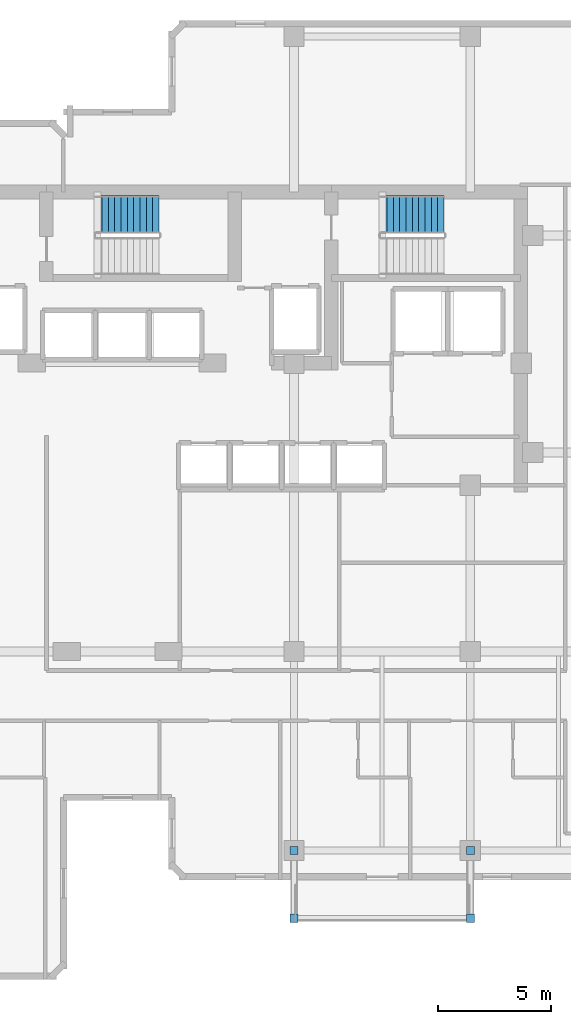
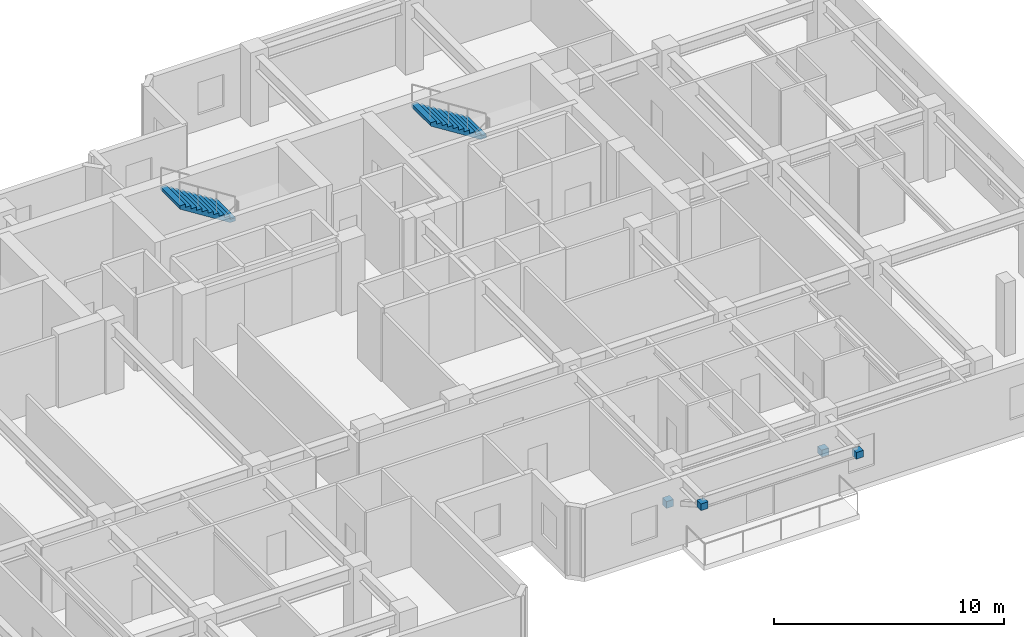
# One storey, part 9 of 11: 4 discrete accessories, 2 stair flights, 2 elements without a shape of their own.
"""IFC4 building model written with IfcOpenShell, lengths in metres."""

from ifc_helpers import new_model, si_unit, direction, frame, origin, origin_2d, place, context, subcontext, project, spatial, polyline, rectangle, outline, extrude, material, type_object, element, aggregate, save


model = new_model("IFC4")

# Units and contexts
model_context = context("Model", 3, precision=1e-05, world=origin(), true_north=direction((0.0, 1.0)))
body_context = subcontext(model_context, "Body", "Model", "MODEL_VIEW")
ifc_project = project(units=[si_unit("LENGTHUNIT", "METRE"), si_unit("AREAUNIT", "SQUARE_METRE"), si_unit("VOLUMEUNIT", "CUBIC_METRE"), si_unit("PLANEANGLEUNIT", "RADIAN"), si_unit("MASSUNIT", "GRAM", prefix="KILO")], contexts=[model_context])

# Site, building, storey
site_placement = place(None, origin())
site = spatial("IfcSite", under=ifc_project, at=site_placement, CompositionType="ELEMENT")
building_placement = place(site_placement, origin())
building = spatial("IfcBuilding", under=site, at=building_placement, Name="Kestravale Grand Hotel", CompositionType="ELEMENT")
storey_placement = place(building_placement, frame((0.0, 0.0, 192.89990234375)))
storey = spatial("IfcBuildingStorey", under=building, at=storey_placement, Name="L48", CompositionType="ELEMENT", Elevation=192.89990234375)

# Stair, stair flight
ifc_material_1 = material(Name="Concrete f'c 45 MPa", Category="concrete")
stair_type = type_object("IfcStairType", Name="ST-CORE-390", PredefinedType="HALF_TURN_STAIR", material=ifc_material_1)
stair_1_placement = place(storey_placement, origin())
stair_1 = element("IfcStair", 1, at=stair_1_placement, inside=storey, type_object=stair_type, Name="L48 ST-2", PredefinedType="HALF_TURN_STAIR")
ifc_material_2 = material(Name="Concrete f'c 45 MPa", Category="concrete")
stair_flight_type = type_object("IfcStairFlightType", Name="STF-CORE-390", PredefinedType="STRAIGHT", material=ifc_material_2)
stair_flight_1_placement = place(storey_placement, frame((40.830078125, 39.320068359375, 1.9501953125), z_axis=(0.0, 0.0, 1.0), x_axis=(-1.0, 0.0, 0.0)))
stair_flight_1 = element("IfcStairFlight", 2, at=stair_flight_1_placement, type_object=stair_flight_type, Name="ST-2 flight 2", NumberOfRisers=11, NumberOfTreads=10, PredefinedType="STRAIGHT", RiserHeight=0.177272727, TreadLength=0.28, context=body_context, shape_type="SweptSolid", body=[
    extrude(outline(polyline([(0.0, 0.0), (0.0, 0.17724609375), (0.280029296875, 0.17724609375), (0.280029296875, 0.3544921875), (0.56005859375, 0.3544921875), (0.56005859375, 0.53173828125), (0.840087890625, 0.53173828125), (0.840087890625, 0.708984375), (1.1201171875, 0.708984375), (1.1201171875, 0.886474609375), (1.39990234375, 0.886474609375), (1.39990234375, 1.063720703125), (1.679931640625, 1.063720703125), (1.679931640625, 1.240966796875), (1.9599609375, 1.240966796875), (1.9599609375, 1.418212890625), (2.239990234375, 1.418212890625), (2.239990234375, 1.595458984375), (2.52001953125, 1.595458984375), (2.52001953125, 1.772705078125), (2.800048828125, 1.772705078125), (2.800048828125, 1.949951171875), (2.800048828125, 1.59521484375), (0.2802734375, 0.0), (0.0, 0.0)])), frame((0.0, 0.83984375, 0.0), z_axis=(0.0, -1.0, 0.0), x_axis=(1.0, 0.0, 0.0)), (0.0, 0.0, 1.0), 1.679931640625),
])
aggregate(stair_1, [stair_flight_1])

stair_2_placement = place(storey_placement, origin())
stair_2 = element("IfcStair", 3, at=stair_2_placement, inside=storey, type_object=stair_type, Name="L48 ST-3", PredefinedType="HALF_TURN_STAIR")
stair_flight_2_placement = place(storey_placement, frame((53.429931640625, 39.320068359375, 1.9501953125), z_axis=(0.0, 0.0, 1.0), x_axis=(-1.0, 0.0, 0.0)))
stair_flight_2 = element("IfcStairFlight", 4, at=stair_flight_2_placement, type_object=stair_flight_type, Name="ST-3 flight 2", NumberOfRisers=11, NumberOfTreads=10, PredefinedType="STRAIGHT", RiserHeight=0.177272727, TreadLength=0.28, context=body_context, shape_type="SweptSolid", body=[
    extrude(outline(polyline([(0.0, 0.0), (0.0, 0.17724609375), (0.280029296875, 0.17724609375), (0.280029296875, 0.3544921875), (0.56005859375, 0.3544921875), (0.56005859375, 0.53173828125), (0.840087890625, 0.53173828125), (0.840087890625, 0.708984375), (1.1201171875, 0.708984375), (1.1201171875, 0.886474609375), (1.39990234375, 0.886474609375), (1.39990234375, 1.063720703125), (1.679931640625, 1.063720703125), (1.679931640625, 1.240966796875), (1.9599609375, 1.240966796875), (1.9599609375, 1.418212890625), (2.239990234375, 1.418212890625), (2.239990234375, 1.595458984375), (2.52001953125, 1.595458984375), (2.52001953125, 1.772705078125), (2.800048828125, 1.772705078125), (2.800048828125, 1.949951171875), (2.800048828125, 1.59521484375), (0.2802734375, 0.0), (0.0, 0.0)])), frame((0.0, 0.83984375, 0.0), z_axis=(0.0, -1.0, 0.0), x_axis=(1.0, 0.0, 0.0)), (0.0, 0.0, 1.0), 1.679931640625),
])
aggregate(stair_2, [stair_flight_2])

# Discrete accessories
ifc_material_3 = material(Name="Steel ASTM A572 Grade 50 hot-dip galvanised bracket", Category="steel")
discrete_accessory_type = type_object("IfcDiscreteAccessoryType", Name="ACC-BRK-STL", PredefinedType="BRACKET", material=ifc_material_3)
for number, where, z_axis, x_axis, name in (
    (5, (46.800048828125, 11.199951171875, 1.2939453125), (0.0, 0.0, 1.0), (1.0, 0.0, 0.0), "L49 terrace strut column bracket 1"),
    (6, (46.800048828125, 8.199951171875, 2.994140625), (0.0, 0.0, 1.0), (1.0, 0.0, 0.0), "L49 terrace strut beam bracket 1"),
    (7, (54.60009765625, 11.199951171875, 1.2939453125), (0.0, 0.0, 1.0), (1.0, 0.0, 0.0), "L49 terrace strut column bracket 2"),
    (8, (54.60009765625, 8.199951171875, 2.994140625), (0.0, 0.0, 1.0), (1.0, 0.0, 0.0), "L49 terrace strut beam bracket 2"),
):
    element("IfcDiscreteAccessory", number, at=place(storey_placement, frame(where, z_axis=z_axis, x_axis=x_axis)), inside=storey, type_object=discrete_accessory_type, Name=name, PredefinedType="BRACKET", context=body_context, shape_type="SweptSolid", body=[
        extrude(rectangle(XDim=0.360107421875, YDim=0.360107421875, at=origin_2d()), origin(), (0.0, 0.0, 1.0), 0.360107421875),
    ])

save(model, "model.ifc")
